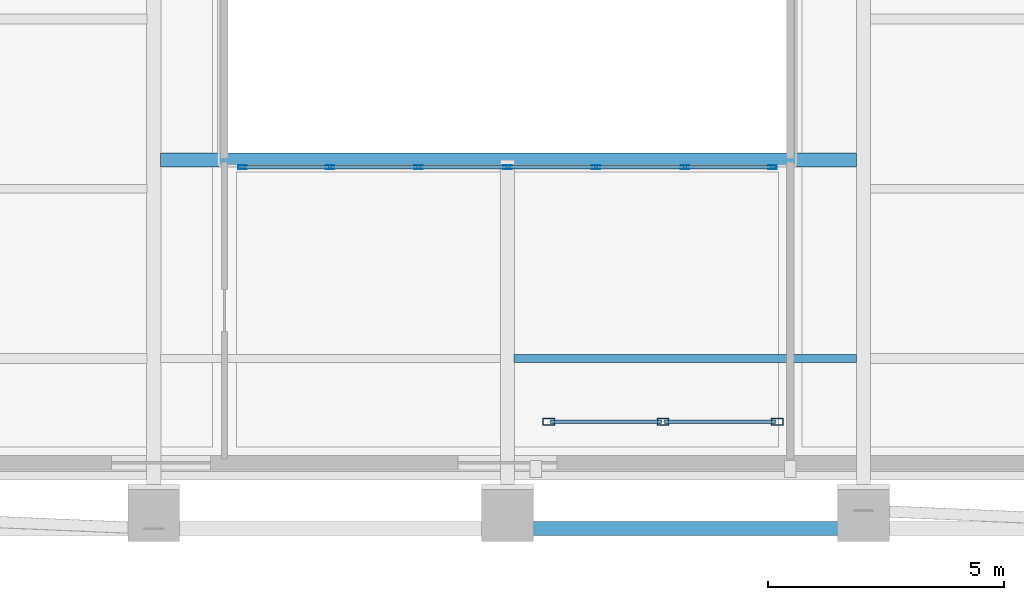
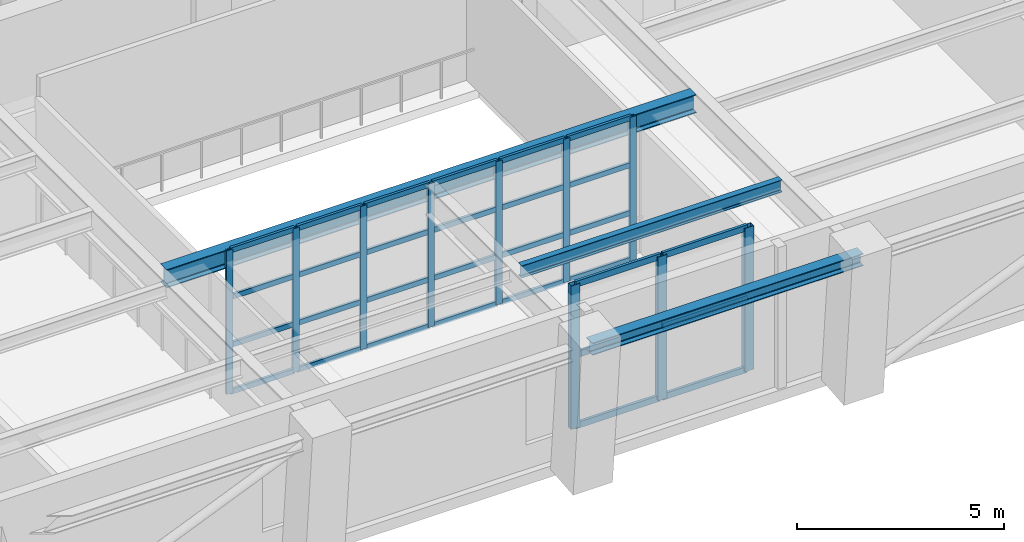
# One storey, part 2 of 13: 40 members, 3 beams, 2 elements without a shape of their own.
"""IFC4 building model written with IfcOpenShell, lengths in metres."""

import ifcopenshell
import ifcopenshell.guid

model = None  # the IFC model being written
_history = None  # IfcOwnerHistory: only IFC2X3 demands one
_inside = {}  # id of a spatial element -> (the spatial element, [elements in it])
_under = {}  # id of a project, library or spatial element -> (it, [spatial elements below it])
_declared = {}  # id of a project -> (the project, [libraries it declares])
_typed = {}  # id of a type object -> (the type object, [elements of that type])
_made_of = {}  # id of a material, layer set ... -> (it, [elements and type objects made of it])


def new_model(schema):
    """Start an empty IFC model of exactly this schema.

    Asked for "IFC4X3", IfcOpenShell would pick the latest addendum, in which some entities
    have other attributes; the version numbers below select the first issue.
    IFC2X3 requires an IfcOwnerHistory on every rooted entity: one is made here for all.
    """
    global model, _history
    if schema == "IFC4X3":
        model = ifcopenshell.file(schema_version=(4, 3, 0, 0))
    else:
        model = ifcopenshell.file(schema=schema)
    _inside.clear()
    _under.clear()
    _declared.clear()
    _typed.clear()
    _made_of.clear()
    _history = None
    if model.schema == "IFC2X3":
        org = make("IfcOrganization", Name="unknown")
        user = make(
            "IfcPersonAndOrganization",
            ThePerson=make("IfcPerson", FamilyName="unknown"),
            TheOrganization=org,
        )
        app = make(
            "IfcApplication",
            ApplicationDeveloper=org,
            Version="unknown",
            ApplicationFullName="unknown",
            ApplicationIdentifier="unknown",
        )
        _history = make(
            "IfcOwnerHistory",
            OwningUser=user,
            OwningApplication=app,
            ChangeAction="ADDED",
            CreationDate=0,
        )
    return model


def make(cls, **values):
    """One entity of the class cls with the attributes given. An attribute that is None is left unset."""
    return model.create_entity(
        cls, **{name: value for name, value in values.items() if value is not None}
    )


def rooted(cls, **values):
    """An entity with a GlobalId (a new one), such as an element, a storey or a relation."""
    return make(cls, GlobalId=ifcopenshell.guid.new(), OwnerHistory=_history, **values)


def si_unit(unit_type, name, prefix=None):
    """IfcSIUnit, for example si_unit("LENGTHUNIT", "METRE", prefix="MILLI")."""
    return make("IfcSIUnit", UnitType=unit_type, Prefix=prefix, Name=name)


def assignment(units):
    """IfcUnitAssignment: the units of a project."""
    return None if units is None else make("IfcUnitAssignment", Units=units)


def point(xyz):
    """IfcCartesianPoint."""
    return None if xyz is None else make("IfcCartesianPoint", Coordinates=xyz)


def direction(xyz):
    """IfcDirection."""
    return None if xyz is None else make("IfcDirection", DirectionRatios=xyz)


def frame(location, z_axis=None, x_axis=None):
    """IfcAxis2Placement3D, a coordinate frame: its origin and axes. An axis left out is left unset."""
    return make(
        "IfcAxis2Placement3D",
        Location=point(location),
        Axis=direction(z_axis),
        RefDirection=direction(x_axis),
    )


def frame_2d(location, x_axis=None):
    """IfcAxis2Placement2D, a coordinate frame in the plane: its origin and x axis."""
    return make(
        "IfcAxis2Placement2D", Location=point(location), RefDirection=direction(x_axis)
    )


def origin():
    """The frame at (0, 0, 0) with its axes left unset."""
    return frame((0.0, 0.0, 0.0))


def origin_2d():
    """The frame at (0, 0) in the plane with its x axis left unset."""
    return frame_2d((0.0, 0.0))


def place(relative_to, where):
    """IfcLocalPlacement: puts the frame where relative to a parent placement (None: the world)."""
    return make(
        "IfcLocalPlacement", PlacementRelTo=relative_to, RelativePlacement=where
    )


def context(
    kind, dimensions, precision=None, world=None, true_north=None, identifier=None
):
    """IfcGeometricRepresentationContext, for example the 3D "Model" context."""
    return make(
        "IfcGeometricRepresentationContext",
        ContextIdentifier=identifier,
        ContextType=kind,
        CoordinateSpaceDimension=dimensions,
        Precision=precision,
        WorldCoordinateSystem=world,
        TrueNorth=true_north,
    )


def subcontext(parent, identifier, kind, view, scale=None):
    """IfcGeometricRepresentationSubContext, for example "Body" below "Model"."""
    return make(
        "IfcGeometricRepresentationSubContext",
        ContextIdentifier=identifier,
        ContextType=kind,
        ParentContext=parent,
        TargetScale=scale,
        TargetView=view,
    )


def project(units=None, contexts=None):
    """IfcProject with its units and contexts."""
    return rooted(
        "IfcProject",
        Name="project",
        RepresentationContexts=contexts,
        UnitsInContext=assignment(units),
    )


def spatial(cls, under=None, at=None, **own):
    """A site, building, storey or space (cls), placed at a placement, below another one or the project."""
    s = rooted(cls, ObjectPlacement=at, **own)
    if under is not None:
        _under.setdefault(under.id(), (under, []))[1].append(s)
    return s


def profile(cls, at=None, kind="AREA", **sizes):
    """A parametric profile (cls). Its sizes go by their IFC names, for example OverallWidth=200.0."""
    return make(cls, ProfileType=kind, Position=at, **sizes)


def hollow_rectangle(**sizes):
    """IfcRectangleHollowProfileDef."""
    return profile("IfcRectangleHollowProfileDef", **sizes)


def i_section(**sizes):
    """IfcIShapeProfileDef."""
    return profile("IfcIShapeProfileDef", **sizes)


def extrude(swept, where, along, depth):
    """IfcExtrudedAreaSolid: the profile swept, set in the frame where, extruded along a direction by depth."""
    return make(
        "IfcExtrudedAreaSolid",
        SweptArea=swept,
        Position=where,
        ExtrudedDirection=direction(along),
        Depth=depth,
    )


def shape(context_of_items, identifier, shape_type, items):
    """IfcShapeRepresentation: the items that make up one representation, for example the "Body"."""
    return make(
        "IfcShapeRepresentation",
        ContextOfItems=context_of_items,
        RepresentationIdentifier=identifier,
        RepresentationType=shape_type,
        Items=items,
    )


def material(Name=None, Category=None):
    """IfcMaterial."""
    return make("IfcMaterial", Name=Name, Category=Category)


def layer(
    of_material, thickness, ventilated=None, Name=None, Category=None, Priority=None
):
    """IfcMaterialLayer: one layer of a wall or slab, of a material (None: an air gap)."""
    return make(
        "IfcMaterialLayer",
        Material=of_material,
        LayerThickness=thickness,
        IsVentilated=ventilated,
        Name=Name,
        Category=Category,
        Priority=Priority,
    )


def layer_set(layers, Name=None):
    """IfcMaterialLayerSet."""
    return make("IfcMaterialLayerSet", MaterialLayers=layers, LayerSetName=Name)


def material_profile(
    of_material, cross_section, Name=None, Category=None, Priority=None
):
    """IfcMaterialProfile: a cross section and its material."""
    return make(
        "IfcMaterialProfile",
        Name=Name,
        Material=of_material,
        Profile=cross_section,
        Priority=Priority,
        Category=Category,
    )


def profile_set(profiles, Name=None, composite=None):
    """IfcMaterialProfileSet."""
    return make(
        "IfcMaterialProfileSet",
        Name=Name,
        MaterialProfiles=profiles,
        CompositeProfile=composite,
    )


def made_of(thing, what):
    """Note that an element or type object is made of a material, layer set ...; save() writes the relation."""
    if what is not None:
        _made_of.setdefault(what.id(), (what, []))[1].append(thing)
    return thing


def type_object(cls, material=None, **own):
    """A type object (cls), such as IfcWallType, which elements share."""
    return made_of(rooted(cls, **own), material)


def element(
    cls,
    number,
    at=None,
    inside=None,
    cuts=None,
    type_object=None,
    material=None,
    context=None,
    identifier="Body",
    shape_type=None,
    held_by="IfcProductDefinitionShape",
    body=None,
    shapes=None,
    **own,
):
    """One element of the class cls, such as IfcWall. Its Tag is "e" and its number.

    at: its placement. inside: the storey or other place that contains it. cuts: it is an
    opening in that element (IfcRelVoidsElement). A single representation is given by context,
    identifier, shape_type and body (its items); several are given by shapes. held_by: the class
    of the entity that holds the representations. save() writes the other relations.
    """
    e = rooted(cls, Tag="e%d" % number, ObjectPlacement=at, **own)
    if body is not None:
        shapes = [shape(context, identifier, shape_type, body)]
    if shapes is not None:
        e.Representation = make(held_by, Representations=shapes)
    if inside is not None:
        _inside.setdefault(inside.id(), (inside, []))[1].append(e)
    if cuts is not None:
        rooted(
            "IfcRelVoidsElement", RelatingBuildingElement=cuts, RelatedOpeningElement=e
        )
    if type_object is not None:
        _typed.setdefault(type_object.id(), (type_object, []))[1].append(e)
    return made_of(e, material)


def aggregate(whole, parts):
    """IfcRelAggregates: a whole, such as a stair, and the parts it consists of."""
    return rooted("IfcRelAggregates", RelatingObject=whole, RelatedObjects=parts)


def save(model, path):
    """Write the relations noted so far, then the file.

    IfcRelAggregates (storeys below a building ...), IfcRelContainedInSpatialStructure (elements
    in a storey), IfcRelDefinesByType, IfcRelAssociatesMaterial and IfcRelDeclares: one each for
    every whole, place, type object, material and project.
    """
    for whole, parts in _under.values():
        aggregate(whole, parts)
    for where, things in _inside.values():
        rooted(
            "IfcRelContainedInSpatialStructure",
            RelatedElements=things,
            RelatingStructure=where,
        )
    for kind, things in _typed.values():
        rooted("IfcRelDefinesByType", RelatedObjects=things, RelatingType=kind)
    for what, things in _made_of.values():
        rooted("IfcRelAssociatesMaterial", RelatedObjects=things, RelatingMaterial=what)
    for by, libraries in _declared.values():
        rooted("IfcRelDeclares", RelatingContext=by, RelatedDefinitions=libraries)
    model.write(path)


model = new_model("IFC4")

# Units and contexts
model_context = context("Model", 3, precision=1e-05, world=origin(), true_north=direction((0.0, 1.0)))
body_context = subcontext(model_context, "Body", "Model", "MODEL_VIEW")
ifc_project = project(units=[si_unit("LENGTHUNIT", "METRE"), si_unit("AREAUNIT", "SQUARE_METRE"), si_unit("VOLUMEUNIT", "CUBIC_METRE"), si_unit("PLANEANGLEUNIT", "RADIAN"), si_unit("MASSUNIT", "GRAM", prefix="KILO")], contexts=[model_context])

# Site, building, storey
site_placement = place(None, origin())
site = spatial("IfcSite", under=ifc_project, at=site_placement, CompositionType="ELEMENT")
building_placement = place(site_placement, origin())
building = spatial("IfcBuilding", under=site, at=building_placement, Name="Zarnavel Station Tower", CompositionType="ELEMENT")
storey_placement = place(building_placement, frame((0.0, 0.0, 183.85009765625)))
storey = spatial("IfcBuildingStorey", under=building, at=storey_placement, Name="L50", CompositionType="ELEMENT", Elevation=183.85009765625)

# Curtain wall, members
ifc_material_1 = material(Name="Aluminium Dark Anodised and Solar-Control Glass", Category="aluminium")
ifc_layer_1 = layer(ifc_material_1, 0.179931640625)
ifc_layer_set_1 = layer_set([ifc_layer_1], Name="CWS4")
curtain_wall_type_1 = type_object("IfcCurtainWallType", Name="CWS4", PredefinedType="NOTDEFINED", material=ifc_layer_set_1)
curtain_wall_1_placement = place(storey_placement, origin())
curtain_wall_1 = element("IfcCurtainWall", 1, at=curtain_wall_1_placement, inside=storey, type_object=curtain_wall_type_1, Name="L50 Curtain Wall CWS4-L50-AS", PredefinedType="NOTDEFINED")
ifc_material_2 = material(Name="Steel S355J2 (Black Fluoropolymer Coated)", Category="steel")
ifc_material_profile_1 = material_profile(ifc_material_2, hollow_rectangle(XDim=0.080078125, YDim=0.179931640625, WallThickness=0.00634765625, at=origin_2d()), Name="RHS180x80x6.3")
ifc_profile_set_1 = profile_set([ifc_material_profile_1], Name="Steel S355J2 (Black Fluoropolymer Coated)")
member_type_1 = type_object("IfcMemberType", Name="CWS4_MUL", PredefinedType="MULLION", material=ifc_profile_set_1)
member_1_placement = place(storey_placement, frame((23.179931640625, 16.85009765625, 0.0), z_axis=(0.0, 0.0, 1.0), x_axis=(0.0, 1.0, 0.0)))
member_1 = element("IfcMember", 2, at=member_1_placement, type_object=member_type_1, Name="CW4 mullion 1", PredefinedType="MULLION", context=body_context, shape_type="SweptSolid", body=[
    extrude(hollow_rectangle(XDim=0.080078125, YDim=0.179931640625, WallThickness=0.00634765625, at=origin_2d()), origin(), (0.0, 0.0, 1.0), 4.22998046875),
])
member_2_placement = place(storey_placement, frame((25.033447265625, 16.85009765625, 0.0), z_axis=(0.0, 0.0, 1.0), x_axis=(0.0, 1.0, 0.0)))
member_2 = element("IfcMember", 3, at=member_2_placement, type_object=member_type_1, Name="CW4 mullion 2", PredefinedType="MULLION", context=body_context, shape_type="SweptSolid", body=[
    extrude(hollow_rectangle(XDim=0.080078125, YDim=0.179931640625, WallThickness=0.00634765625, at=origin_2d()), origin(), (0.0, 0.0, 1.0), 4.22998046875),
])
member_3_placement = place(storey_placement, frame((26.916748046875, 16.85009765625, 0.0), z_axis=(0.0, 0.0, 1.0), x_axis=(0.0, 1.0, 0.0)))
member_3 = element("IfcMember", 4, at=member_3_placement, type_object=member_type_1, Name="CW4 mullion 3", PredefinedType="MULLION", context=body_context, shape_type="SweptSolid", body=[
    extrude(hollow_rectangle(XDim=0.080078125, YDim=0.179931640625, WallThickness=0.00634765625, at=origin_2d()), origin(), (0.0, 0.0, 1.0), 4.22998046875),
])
member_4_placement = place(storey_placement, frame((28.800048828125, 16.85009765625, 0.0), z_axis=(0.0, 0.0, 1.0), x_axis=(0.0, 1.0, 0.0)))
member_4 = element("IfcMember", 5, at=member_4_placement, type_object=member_type_1, Name="CW4 mullion 4", PredefinedType="MULLION", context=body_context, shape_type="SweptSolid", body=[
    extrude(hollow_rectangle(XDim=0.080078125, YDim=0.179931640625, WallThickness=0.00634765625, at=origin_2d()), origin(), (0.0, 0.0, 1.0), 4.22998046875),
])
member_5_placement = place(storey_placement, frame((30.683349609375, 16.85009765625, 0.0), z_axis=(0.0, 0.0, 1.0), x_axis=(0.0, 1.0, 0.0)))
member_5 = element("IfcMember", 6, at=member_5_placement, type_object=member_type_1, Name="CW4 mullion 5", PredefinedType="MULLION", context=body_context, shape_type="SweptSolid", body=[
    extrude(hollow_rectangle(XDim=0.080078125, YDim=0.179931640625, WallThickness=0.00634765625, at=origin_2d()), origin(), (0.0, 0.0, 1.0), 4.22998046875),
])
member_6_placement = place(storey_placement, frame((32.566650390625, 16.85009765625, 0.0), z_axis=(0.0, 0.0, 1.0), x_axis=(0.0, 1.0, 0.0)))
member_6 = element("IfcMember", 7, at=member_6_placement, type_object=member_type_1, Name="CW4 mullion 6", PredefinedType="MULLION", context=body_context, shape_type="SweptSolid", body=[
    extrude(hollow_rectangle(XDim=0.080078125, YDim=0.179931640625, WallThickness=0.00634765625, at=origin_2d()), origin(), (0.0, 0.0, 1.0), 4.22998046875),
])
member_7_placement = place(storey_placement, frame((34.419921875, 16.85009765625, 0.0), z_axis=(0.0, 0.0, 1.0), x_axis=(0.0, 1.0, 0.0)))
member_7 = element("IfcMember", 8, at=member_7_placement, type_object=member_type_1, Name="CW4 mullion 7", PredefinedType="MULLION", context=body_context, shape_type="SweptSolid", body=[
    extrude(hollow_rectangle(XDim=0.080078125, YDim=0.179931640625, WallThickness=0.00634765625, at=origin_2d()), origin(), (0.0, 0.0, 1.0), 4.22998046875),
])
ifc_material_3 = material(Name="Steel S355J2 (Black Fluoropolymer Coated)", Category="steel")
ifc_material_profile_2 = material_profile(ifc_material_3, hollow_rectangle(XDim=0.074951171875, YDim=0.14990234375, WallThickness=0.00634765625, at=origin_2d()), Name="RHS150x75x6.3")
ifc_profile_set_2 = profile_set([ifc_material_profile_2], Name="Steel S355J2 (Black Fluoropolymer Coated)")
member_type_2 = type_object("IfcMemberType", Name="CWS4_TRN", PredefinedType="USERDEFINED", material=ifc_profile_set_2)
member_8_placement = place(storey_placement, frame((23.2099609375, 16.85009765625, 0.02978515625), z_axis=(1.0, 0.0, 0.0), x_axis=(0.0, 1.0, 0.0)))
member_8 = element("IfcMember", 9, at=member_8_placement, type_object=member_type_2, Name="CW4 transom 1.1", ObjectType="TRANSOM", PredefinedType="USERDEFINED", context=body_context, shape_type="SweptSolid", body=[
    extrude(hollow_rectangle(XDim=0.074951171875, YDim=0.14990234375, WallThickness=0.00634765625, at=origin_2d()), origin(), (0.0, 0.0, 1.0), 1.79345703125),
])
member_9_placement = place(storey_placement, frame((23.2099609375, 16.85009765625, 1.409912109375), z_axis=(1.0, 0.0, 0.0), x_axis=(0.0, 1.0, 0.0)))
member_9 = element("IfcMember", 10, at=member_9_placement, type_object=member_type_2, Name="CW4 transom 1.2", ObjectType="TRANSOM", PredefinedType="USERDEFINED", context=body_context, shape_type="SweptSolid", body=[
    extrude(hollow_rectangle(XDim=0.074951171875, YDim=0.14990234375, WallThickness=0.00634765625, at=origin_2d()), origin(), (0.0, 0.0, 1.0), 1.79345703125),
])
member_10_placement = place(storey_placement, frame((23.2099609375, 16.85009765625, 2.81982421875), z_axis=(1.0, 0.0, 0.0), x_axis=(0.0, 1.0, 0.0)))
member_10 = element("IfcMember", 11, at=member_10_placement, type_object=member_type_2, Name="CW4 transom 1.3", ObjectType="TRANSOM", PredefinedType="USERDEFINED", context=body_context, shape_type="SweptSolid", body=[
    extrude(hollow_rectangle(XDim=0.074951171875, YDim=0.14990234375, WallThickness=0.00634765625, at=origin_2d()), origin(), (0.0, 0.0, 1.0), 1.79345703125),
])
member_11_placement = place(storey_placement, frame((23.2099609375, 16.85009765625, 4.199951171875), z_axis=(1.0, 0.0, 0.0), x_axis=(0.0, 1.0, 0.0)))
member_11 = element("IfcMember", 12, at=member_11_placement, type_object=member_type_2, Name="CW4 transom 1.4", ObjectType="TRANSOM", PredefinedType="USERDEFINED", context=body_context, shape_type="SweptSolid", body=[
    extrude(hollow_rectangle(XDim=0.074951171875, YDim=0.14990234375, WallThickness=0.00634765625, at=origin_2d()), origin(), (0.0, 0.0, 1.0), 1.79345703125),
])
member_12_placement = place(storey_placement, frame((25.063232421875, 16.85009765625, 0.02978515625), z_axis=(1.0, 0.0, 0.0), x_axis=(0.0, 1.0, 0.0)))
member_12 = element("IfcMember", 13, at=member_12_placement, type_object=member_type_2, Name="CW4 transom 2.1", ObjectType="TRANSOM", PredefinedType="USERDEFINED", context=body_context, shape_type="SweptSolid", body=[
    extrude(hollow_rectangle(XDim=0.074951171875, YDim=0.14990234375, WallThickness=0.00634765625, at=origin_2d()), origin(), (0.0, 0.0, 1.0), 1.823486328125),
])
member_13_placement = place(storey_placement, frame((25.063232421875, 16.85009765625, 1.409912109375), z_axis=(1.0, 0.0, 0.0), x_axis=(0.0, 1.0, 0.0)))
member_13 = element("IfcMember", 14, at=member_13_placement, type_object=member_type_2, Name="CW4 transom 2.2", ObjectType="TRANSOM", PredefinedType="USERDEFINED", context=body_context, shape_type="SweptSolid", body=[
    extrude(hollow_rectangle(XDim=0.074951171875, YDim=0.14990234375, WallThickness=0.00634765625, at=origin_2d()), origin(), (0.0, 0.0, 1.0), 1.823486328125),
])
member_14_placement = place(storey_placement, frame((25.063232421875, 16.85009765625, 2.81982421875), z_axis=(1.0, 0.0, 0.0), x_axis=(0.0, 1.0, 0.0)))
member_14 = element("IfcMember", 15, at=member_14_placement, type_object=member_type_2, Name="CW4 transom 2.3", ObjectType="TRANSOM", PredefinedType="USERDEFINED", context=body_context, shape_type="SweptSolid", body=[
    extrude(hollow_rectangle(XDim=0.074951171875, YDim=0.14990234375, WallThickness=0.00634765625, at=origin_2d()), origin(), (0.0, 0.0, 1.0), 1.823486328125),
])
member_15_placement = place(storey_placement, frame((25.063232421875, 16.85009765625, 4.199951171875), z_axis=(1.0, 0.0, 0.0), x_axis=(0.0, 1.0, 0.0)))
member_15 = element("IfcMember", 16, at=member_15_placement, type_object=member_type_2, Name="CW4 transom 2.4", ObjectType="TRANSOM", PredefinedType="USERDEFINED", context=body_context, shape_type="SweptSolid", body=[
    extrude(hollow_rectangle(XDim=0.074951171875, YDim=0.14990234375, WallThickness=0.00634765625, at=origin_2d()), origin(), (0.0, 0.0, 1.0), 1.823486328125),
])
member_16_placement = place(storey_placement, frame((26.94677734375, 16.85009765625, 0.02978515625), z_axis=(1.0, 0.0, 0.0), x_axis=(0.0, 1.0, 0.0)))
member_16 = element("IfcMember", 17, at=member_16_placement, type_object=member_type_2, Name="CW4 transom 3.1", ObjectType="TRANSOM", PredefinedType="USERDEFINED", context=body_context, shape_type="SweptSolid", body=[
    extrude(hollow_rectangle(XDim=0.074951171875, YDim=0.14990234375, WallThickness=0.00634765625, at=origin_2d()), origin(), (0.0, 0.0, 1.0), 1.8232421875),
])
member_17_placement = place(storey_placement, frame((26.94677734375, 16.85009765625, 1.409912109375), z_axis=(1.0, 0.0, 0.0), x_axis=(0.0, 1.0, 0.0)))
member_17 = element("IfcMember", 18, at=member_17_placement, type_object=member_type_2, Name="CW4 transom 3.2", ObjectType="TRANSOM", PredefinedType="USERDEFINED", context=body_context, shape_type="SweptSolid", body=[
    extrude(hollow_rectangle(XDim=0.074951171875, YDim=0.14990234375, WallThickness=0.00634765625, at=origin_2d()), origin(), (0.0, 0.0, 1.0), 1.8232421875),
])
member_18_placement = place(storey_placement, frame((26.94677734375, 16.85009765625, 2.81982421875), z_axis=(1.0, 0.0, 0.0), x_axis=(0.0, 1.0, 0.0)))
member_18 = element("IfcMember", 19, at=member_18_placement, type_object=member_type_2, Name="CW4 transom 3.3", ObjectType="TRANSOM", PredefinedType="USERDEFINED", context=body_context, shape_type="SweptSolid", body=[
    extrude(hollow_rectangle(XDim=0.074951171875, YDim=0.14990234375, WallThickness=0.00634765625, at=origin_2d()), origin(), (0.0, 0.0, 1.0), 1.8232421875),
])
member_19_placement = place(storey_placement, frame((26.94677734375, 16.85009765625, 4.199951171875), z_axis=(1.0, 0.0, 0.0), x_axis=(0.0, 1.0, 0.0)))
member_19 = element("IfcMember", 20, at=member_19_placement, type_object=member_type_2, Name="CW4 transom 3.4", ObjectType="TRANSOM", PredefinedType="USERDEFINED", context=body_context, shape_type="SweptSolid", body=[
    extrude(hollow_rectangle(XDim=0.074951171875, YDim=0.14990234375, WallThickness=0.00634765625, at=origin_2d()), origin(), (0.0, 0.0, 1.0), 1.8232421875),
])
member_20_placement = place(storey_placement, frame((28.830078125, 16.85009765625, 0.02978515625), z_axis=(1.0, 0.0, 0.0), x_axis=(0.0, 1.0, 0.0)))
member_20 = element("IfcMember", 21, at=member_20_placement, type_object=member_type_2, Name="CW4 transom 4.1", ObjectType="TRANSOM", PredefinedType="USERDEFINED", context=body_context, shape_type="SweptSolid", body=[
    extrude(hollow_rectangle(XDim=0.074951171875, YDim=0.14990234375, WallThickness=0.00634765625, at=origin_2d()), origin(), (0.0, 0.0, 1.0), 1.8232421875),
])
member_21_placement = place(storey_placement, frame((28.830078125, 16.85009765625, 1.409912109375), z_axis=(1.0, 0.0, 0.0), x_axis=(0.0, 1.0, 0.0)))
member_21 = element("IfcMember", 22, at=member_21_placement, type_object=member_type_2, Name="CW4 transom 4.2", ObjectType="TRANSOM", PredefinedType="USERDEFINED", context=body_context, shape_type="SweptSolid", body=[
    extrude(hollow_rectangle(XDim=0.074951171875, YDim=0.14990234375, WallThickness=0.00634765625, at=origin_2d()), origin(), (0.0, 0.0, 1.0), 1.8232421875),
])
member_22_placement = place(storey_placement, frame((28.830078125, 16.85009765625, 2.81982421875), z_axis=(1.0, 0.0, 0.0), x_axis=(0.0, 1.0, 0.0)))
member_22 = element("IfcMember", 23, at=member_22_placement, type_object=member_type_2, Name="CW4 transom 4.3", ObjectType="TRANSOM", PredefinedType="USERDEFINED", context=body_context, shape_type="SweptSolid", body=[
    extrude(hollow_rectangle(XDim=0.074951171875, YDim=0.14990234375, WallThickness=0.00634765625, at=origin_2d()), origin(), (0.0, 0.0, 1.0), 1.8232421875),
])
member_23_placement = place(storey_placement, frame((28.830078125, 16.85009765625, 4.199951171875), z_axis=(1.0, 0.0, 0.0), x_axis=(0.0, 1.0, 0.0)))
member_23 = element("IfcMember", 24, at=member_23_placement, type_object=member_type_2, Name="CW4 transom 4.4", ObjectType="TRANSOM", PredefinedType="USERDEFINED", context=body_context, shape_type="SweptSolid", body=[
    extrude(hollow_rectangle(XDim=0.074951171875, YDim=0.14990234375, WallThickness=0.00634765625, at=origin_2d()), origin(), (0.0, 0.0, 1.0), 1.8232421875),
])
member_24_placement = place(storey_placement, frame((30.71337890625, 16.85009765625, 0.02978515625), z_axis=(1.0, 0.0, 0.0), x_axis=(0.0, 1.0, 0.0)))
member_24 = element("IfcMember", 25, at=member_24_placement, type_object=member_type_2, Name="CW4 transom 5.1", ObjectType="TRANSOM", PredefinedType="USERDEFINED", context=body_context, shape_type="SweptSolid", body=[
    extrude(hollow_rectangle(XDim=0.074951171875, YDim=0.14990234375, WallThickness=0.00634765625, at=origin_2d()), origin(), (0.0, 0.0, 1.0), 1.8232421875),
])
member_25_placement = place(storey_placement, frame((30.71337890625, 16.85009765625, 1.409912109375), z_axis=(1.0, 0.0, 0.0), x_axis=(0.0, 1.0, 0.0)))
member_25 = element("IfcMember", 26, at=member_25_placement, type_object=member_type_2, Name="CW4 transom 5.2", ObjectType="TRANSOM", PredefinedType="USERDEFINED", context=body_context, shape_type="SweptSolid", body=[
    extrude(hollow_rectangle(XDim=0.074951171875, YDim=0.14990234375, WallThickness=0.00634765625, at=origin_2d()), origin(), (0.0, 0.0, 1.0), 1.8232421875),
])
member_26_placement = place(storey_placement, frame((30.71337890625, 16.85009765625, 2.81982421875), z_axis=(1.0, 0.0, 0.0), x_axis=(0.0, 1.0, 0.0)))
member_26 = element("IfcMember", 27, at=member_26_placement, type_object=member_type_2, Name="CW4 transom 5.3", ObjectType="TRANSOM", PredefinedType="USERDEFINED", context=body_context, shape_type="SweptSolid", body=[
    extrude(hollow_rectangle(XDim=0.074951171875, YDim=0.14990234375, WallThickness=0.00634765625, at=origin_2d()), origin(), (0.0, 0.0, 1.0), 1.8232421875),
])
member_27_placement = place(storey_placement, frame((30.71337890625, 16.85009765625, 4.199951171875), z_axis=(1.0, 0.0, 0.0), x_axis=(0.0, 1.0, 0.0)))
member_27 = element("IfcMember", 28, at=member_27_placement, type_object=member_type_2, Name="CW4 transom 5.4", ObjectType="TRANSOM", PredefinedType="USERDEFINED", context=body_context, shape_type="SweptSolid", body=[
    extrude(hollow_rectangle(XDim=0.074951171875, YDim=0.14990234375, WallThickness=0.00634765625, at=origin_2d()), origin(), (0.0, 0.0, 1.0), 1.8232421875),
])
member_28_placement = place(storey_placement, frame((32.5966796875, 16.85009765625, 0.02978515625), z_axis=(1.0, 0.0, 0.0), x_axis=(0.0, 1.0, 0.0)))
member_28 = element("IfcMember", 29, at=member_28_placement, type_object=member_type_2, Name="CW4 transom 6.1", ObjectType="TRANSOM", PredefinedType="USERDEFINED", context=body_context, shape_type="SweptSolid", body=[
    extrude(hollow_rectangle(XDim=0.074951171875, YDim=0.14990234375, WallThickness=0.00634765625, at=origin_2d()), origin(), (0.0, 0.0, 1.0), 1.793212890625),
])
member_29_placement = place(storey_placement, frame((32.5966796875, 16.85009765625, 1.409912109375), z_axis=(1.0, 0.0, 0.0), x_axis=(0.0, 1.0, 0.0)))
member_29 = element("IfcMember", 30, at=member_29_placement, type_object=member_type_2, Name="CW4 transom 6.2", ObjectType="TRANSOM", PredefinedType="USERDEFINED", context=body_context, shape_type="SweptSolid", body=[
    extrude(hollow_rectangle(XDim=0.074951171875, YDim=0.14990234375, WallThickness=0.00634765625, at=origin_2d()), origin(), (0.0, 0.0, 1.0), 1.793212890625),
])
member_30_placement = place(storey_placement, frame((32.5966796875, 16.85009765625, 2.81982421875), z_axis=(1.0, 0.0, 0.0), x_axis=(0.0, 1.0, 0.0)))
member_30 = element("IfcMember", 31, at=member_30_placement, type_object=member_type_2, Name="CW4 transom 6.3", ObjectType="TRANSOM", PredefinedType="USERDEFINED", context=body_context, shape_type="SweptSolid", body=[
    extrude(hollow_rectangle(XDim=0.074951171875, YDim=0.14990234375, WallThickness=0.00634765625, at=origin_2d()), origin(), (0.0, 0.0, 1.0), 1.793212890625),
])
member_31_placement = place(storey_placement, frame((32.5966796875, 16.85009765625, 4.199951171875), z_axis=(1.0, 0.0, 0.0), x_axis=(0.0, 1.0, 0.0)))
member_31 = element("IfcMember", 32, at=member_31_placement, type_object=member_type_2, Name="CW4 transom 6.4", ObjectType="TRANSOM", PredefinedType="USERDEFINED", context=body_context, shape_type="SweptSolid", body=[
    extrude(hollow_rectangle(XDim=0.074951171875, YDim=0.14990234375, WallThickness=0.00634765625, at=origin_2d()), origin(), (0.0, 0.0, 1.0), 1.793212890625),
])
aggregate(curtain_wall_1, [member_1, member_2, member_3, member_4, member_5, member_6, member_7, member_8, member_9, member_10, member_11, member_12, member_13, member_14, member_15, member_16, member_17, member_18, member_19, member_20, member_21, member_22, member_23, member_24, member_25, member_26, member_27, member_28, member_29, member_30, member_31])

ifc_material_4 = material(Name="Aluminium Dark Anodised and Solar-Control Glass", Category="aluminium")
ifc_layer_2 = layer(ifc_material_4, 0.179931640625)
ifc_layer_set_2 = layer_set([ifc_layer_2], Name="CWS6")
curtain_wall_type_2 = type_object("IfcCurtainWallType", Name="CWS6", PredefinedType="NOTDEFINED", material=ifc_layer_set_2)
curtain_wall_2_placement = place(storey_placement, origin())
curtain_wall_2 = element("IfcCurtainWall", 33, at=curtain_wall_2_placement, inside=storey, type_object=curtain_wall_type_2, Name="L50 Curtain Wall CWS6-LOG-L50", PredefinedType="NOTDEFINED")
ifc_material_5 = material(Name="Steel S355J2 (Black Fluoropolymer Coated)", Category="steel")
ifc_material_profile_3 = material_profile(ifc_material_5, hollow_rectangle(XDim=0.14990234375, YDim=0.25, WallThickness=0.010009765625, at=origin_2d()), Name="RHS250x150x10")
ifc_profile_set_3 = profile_set([ifc_material_profile_3], Name="Steel S355J2 (Black Fluoropolymer Coated)")
member_type_3 = type_object("IfcMemberType", Name="CWS6_MUL", PredefinedType="MULLION", material=ifc_profile_set_3)
member_32_placement = place(storey_placement, frame((29.679931640625, 11.449951171875, 0.0), z_axis=(0.0, 0.0, 1.0), x_axis=(0.0, 1.0, 0.0)))
member_32 = element("IfcMember", 34, at=member_32_placement, type_object=member_type_3, Name="CW6 mullion 1", PredefinedType="MULLION", context=body_context, shape_type="SweptSolid", body=[
    extrude(hollow_rectangle(XDim=0.14990234375, YDim=0.25, WallThickness=0.010009765625, at=origin_2d()), origin(), (0.0, 0.0, 1.0), 4.22998046875),
])
member_33_placement = place(storey_placement, frame((32.10009765625, 11.449951171875, 0.0), z_axis=(0.0, 0.0, 1.0), x_axis=(0.0, 1.0, 0.0)))
member_33 = element("IfcMember", 35, at=member_33_placement, type_object=member_type_3, Name="CW6 mullion 2", PredefinedType="MULLION", context=body_context, shape_type="SweptSolid", body=[
    extrude(hollow_rectangle(XDim=0.14990234375, YDim=0.25, WallThickness=0.010009765625, at=origin_2d()), origin(), (0.0, 0.0, 1.0), 4.22998046875),
])
member_34_placement = place(storey_placement, frame((34.52001953125, 11.449951171875, 0.0), z_axis=(0.0, 0.0, 1.0), x_axis=(0.0, 1.0, 0.0)))
member_34 = element("IfcMember", 36, at=member_34_placement, type_object=member_type_3, Name="CW6 mullion 3", PredefinedType="MULLION", context=body_context, shape_type="SweptSolid", body=[
    extrude(hollow_rectangle(XDim=0.14990234375, YDim=0.25, WallThickness=0.010009765625, at=origin_2d()), origin(), (0.0, 0.0, 1.0), 4.22998046875),
])
ifc_material_6 = material(Name="Steel S355J2 (Black Fluoropolymer Coated)", Category="steel")
ifc_material_profile_4 = material_profile(ifc_material_6, hollow_rectangle(XDim=0.080078125, YDim=0.179931640625, WallThickness=0.00634765625, at=origin_2d()), Name="RHS180x80x6.3")
ifc_profile_set_4 = profile_set([ifc_material_profile_4], Name="Steel S355J2 (Black Fluoropolymer Coated)")
member_type_4 = type_object("IfcMemberType", Name="CWS6_TRN", PredefinedType="USERDEFINED", material=ifc_profile_set_4)
member_35_placement = place(storey_placement, frame((29.7099609375, 11.449951171875, 0.02978515625), z_axis=(1.0, 0.0, 0.0), x_axis=(0.0, 1.0, 0.0)))
member_35 = element("IfcMember", 37, at=member_35_placement, type_object=member_type_4, Name="CW6 transom 1.1", ObjectType="TRANSOM", PredefinedType="USERDEFINED", context=body_context, shape_type="SweptSolid", body=[
    extrude(hollow_rectangle(XDim=0.080078125, YDim=0.179931640625, WallThickness=0.00634765625, at=origin_2d()), origin(), (0.0, 0.0, 1.0), 2.360107421875),
])
member_36_placement = place(storey_placement, frame((29.7099609375, 11.449951171875, 2.114990234375), z_axis=(1.0, 0.0, 0.0), x_axis=(0.0, 1.0, 0.0)))
member_36 = element("IfcMember", 38, at=member_36_placement, type_object=member_type_4, Name="CW6 transom 1.2", ObjectType="TRANSOM", PredefinedType="USERDEFINED", context=body_context, shape_type="SweptSolid", body=[
    extrude(hollow_rectangle(XDim=0.080078125, YDim=0.179931640625, WallThickness=0.00634765625, at=origin_2d()), origin(), (0.0, 0.0, 1.0), 2.360107421875),
])
member_37_placement = place(storey_placement, frame((29.7099609375, 11.449951171875, 4.199951171875), z_axis=(1.0, 0.0, 0.0), x_axis=(0.0, 1.0, 0.0)))
member_37 = element("IfcMember", 39, at=member_37_placement, type_object=member_type_4, Name="CW6 transom 1.3", ObjectType="TRANSOM", PredefinedType="USERDEFINED", context=body_context, shape_type="SweptSolid", body=[
    extrude(hollow_rectangle(XDim=0.080078125, YDim=0.179931640625, WallThickness=0.00634765625, at=origin_2d()), origin(), (0.0, 0.0, 1.0), 2.360107421875),
])
member_38_placement = place(storey_placement, frame((32.1298828125, 11.449951171875, 0.02978515625), z_axis=(1.0, 0.0, 0.0), x_axis=(0.0, 1.0, 0.0)))
member_38 = element("IfcMember", 40, at=member_38_placement, type_object=member_type_4, Name="CW6 transom 2.1", ObjectType="TRANSOM", PredefinedType="USERDEFINED", context=body_context, shape_type="SweptSolid", body=[
    extrude(hollow_rectangle(XDim=0.080078125, YDim=0.179931640625, WallThickness=0.00634765625, at=origin_2d()), origin(), (0.0, 0.0, 1.0), 2.360107421875),
])
member_39_placement = place(storey_placement, frame((32.1298828125, 11.449951171875, 2.114990234375), z_axis=(1.0, 0.0, 0.0), x_axis=(0.0, 1.0, 0.0)))
member_39 = element("IfcMember", 41, at=member_39_placement, type_object=member_type_4, Name="CW6 transom 2.2", ObjectType="TRANSOM", PredefinedType="USERDEFINED", context=body_context, shape_type="SweptSolid", body=[
    extrude(hollow_rectangle(XDim=0.080078125, YDim=0.179931640625, WallThickness=0.00634765625, at=origin_2d()), origin(), (0.0, 0.0, 1.0), 2.360107421875),
])
member_40_placement = place(storey_placement, frame((32.1298828125, 11.449951171875, 4.199951171875), z_axis=(1.0, 0.0, 0.0), x_axis=(0.0, 1.0, 0.0)))
member_40 = element("IfcMember", 42, at=member_40_placement, type_object=member_type_4, Name="CW6 transom 2.3", ObjectType="TRANSOM", PredefinedType="USERDEFINED", context=body_context, shape_type="SweptSolid", body=[
    extrude(hollow_rectangle(XDim=0.080078125, YDim=0.179931640625, WallThickness=0.00634765625, at=origin_2d()), origin(), (0.0, 0.0, 1.0), 2.360107421875),
])
aggregate(curtain_wall_2, [member_32, member_33, member_34, member_35, member_36, member_37, member_38, member_39, member_40])

# Beams
ifc_material_7 = material(Name="Steel S355J2", Category="steel")
ifc_material_profile_5 = material_profile(ifc_material_7, i_section(OverallWidth=0.300048828125, OverallDepth=0.360107421875, WebThickness=0.012451171875, FlangeThickness=0.0224609375, FilletRadius=0.027099609375, at=origin_2d()), Name="HEB360")
ifc_profile_set_5 = profile_set([ifc_material_profile_5], Name="Steel S355J2")
beam_type_1 = type_object("IfcBeamType", Name="EB_HEB360", PredefinedType="SPANDREL", material=ifc_profile_set_5)
beam_1_placement = place(storey_placement, frame((28.800048828125, 9.18408203125, 4.0498046875), z_axis=(1.0, 0.0, 0.0), x_axis=(0.0, 1.0, 0.0)))
element("IfcBeam", 43, at=beam_1_placement, inside=storey, type_object=beam_type_1, Name="L50 South Raked Spandrel 3", PredefinedType="SPANDREL", context=body_context, shape_type="SweptSolid", body=[
    extrude(i_section(OverallWidth=0.300048828125, OverallDepth=0.360107421875, WebThickness=0.012451171875, FlangeThickness=0.0224609375, FilletRadius=0.027099609375, at=origin_2d()), origin(), (0.0, 0.0, 1.0), 7.550048828125),
])
ifc_material_8 = material(Name="Steel S355J2", Category="steel")
ifc_material_profile_6 = material_profile(ifc_material_8, i_section(OverallWidth=0.300048828125, OverallDepth=0.5400390625, WebThickness=0.012451171875, FlangeThickness=0.02392578125, FilletRadius=0.027099609375, at=origin_2d()), Name="HEA550")
ifc_profile_set_6 = profile_set([ifc_material_profile_6], Name="Steel S355J2")
beam_type_2 = type_object("IfcBeamType", Name="FB_HEA550", PredefinedType="BEAM", material=ifc_profile_set_6)
beam_2_placement = place(storey_placement, frame((21.445068359375, 17.0, 3.9599609375), z_axis=(1.0, 0.0, 0.0), x_axis=(0.0, 1.0, 0.0)))
element("IfcBeam", 44, at=beam_2_placement, inside=storey, type_object=beam_type_2, Name="L50 Atrium South Edge Girder", PredefinedType="BEAM", context=body_context, shape_type="SweptSolid", body=[
    extrude(i_section(OverallWidth=0.300048828125, OverallDepth=0.5400390625, WebThickness=0.012451171875, FlangeThickness=0.02392578125, FilletRadius=0.027099609375, at=origin_2d()), origin(), (0.0, 0.0, 1.0), 14.760009765625),
])
ifc_material_9 = material(Name="Steel S355J2", Category="steel")
ifc_material_profile_7 = material_profile(ifc_material_9, i_section(OverallWidth=0.169921875, OverallDepth=0.360107421875, WebThickness=0.008056640625, FlangeThickness=0.0126953125, FilletRadius=0.01806640625, at=origin_2d()), Name="IPE360")
ifc_profile_set_7 = profile_set([ifc_material_profile_7], Name="Steel S355J2")
beam_type_3 = type_object("IfcBeamType", Name="FJ_IPE360", PredefinedType="JOIST", material=ifc_profile_set_7)
beam_3_placement = place(storey_placement, frame((28.945068359375, 12.787353515625, 4.0498046875), z_axis=(1.0, 0.0, 0.0), x_axis=(0.0, 1.0, 0.0)))
element("IfcBeam", 45, at=beam_3_placement, inside=storey, type_object=beam_type_3, Name="L50 Mid-East Joist 1", PredefinedType="JOIST", context=body_context, shape_type="SweptSolid", body=[
    extrude(i_section(OverallWidth=0.169921875, OverallDepth=0.360107421875, WebThickness=0.008056640625, FlangeThickness=0.0126953125, FilletRadius=0.01806640625, at=origin_2d()), origin(), (0.0, 0.0, 1.0), 7.260009765625),
])

save(model, "model.ifc")
